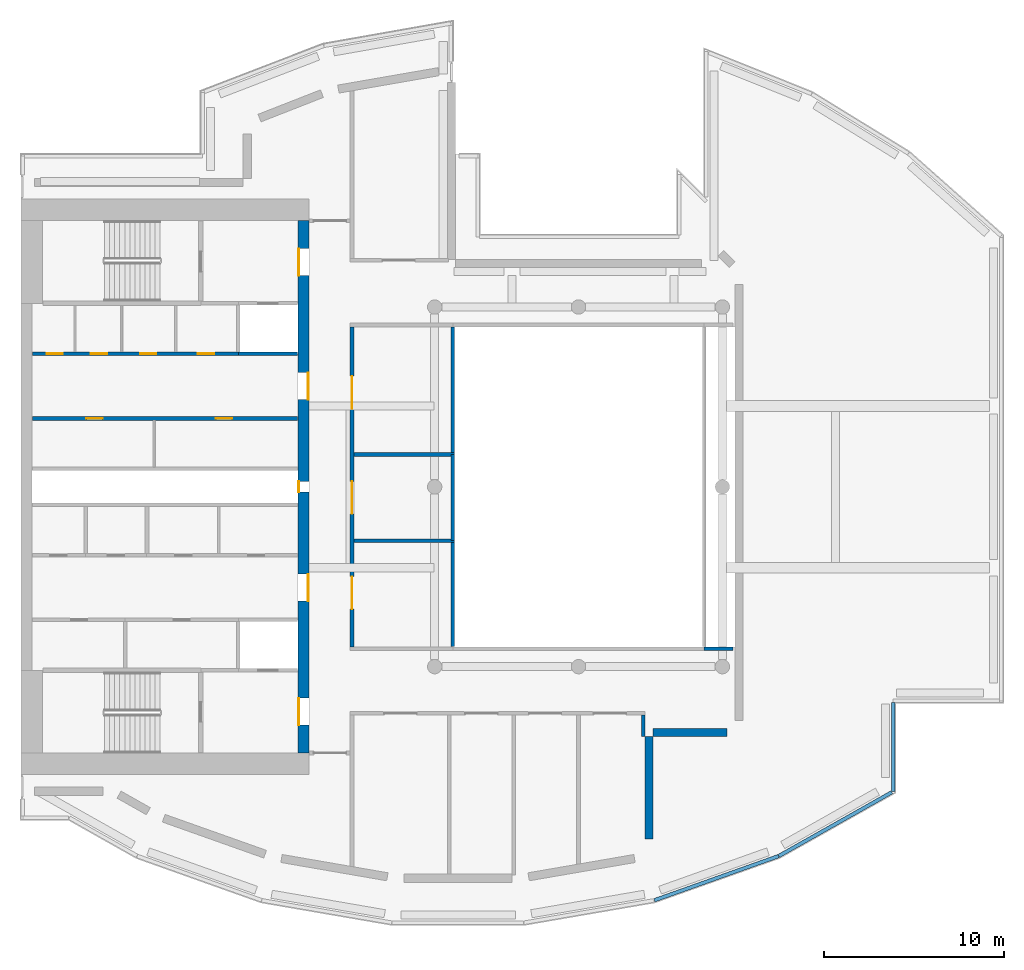
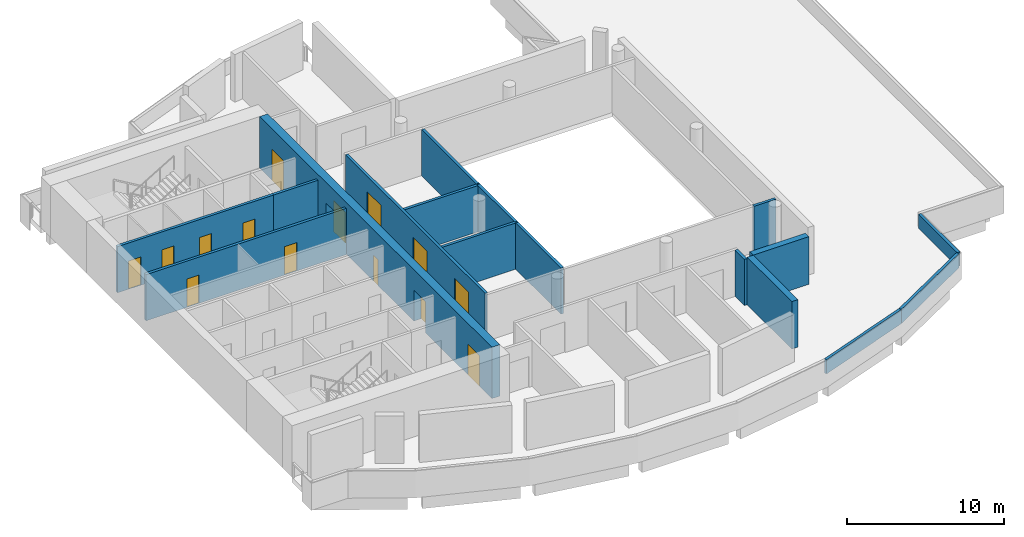
# One storey, part 3 of 8: 17 walls, 14 doors, 14 openings.
"""IFC4 building model written with IfcOpenShell, lengths in metres."""

import ifcopenshell
import ifcopenshell.guid

model = None  # the IFC model being written
_history = None  # IfcOwnerHistory: only IFC2X3 demands one
_inside = {}  # id of a spatial element -> (the spatial element, [elements in it])
_under = {}  # id of a project, library or spatial element -> (it, [spatial elements below it])
_declared = {}  # id of a project -> (the project, [libraries it declares])
_typed = {}  # id of a type object -> (the type object, [elements of that type])
_made_of = {}  # id of a material, layer set ... -> (it, [elements and type objects made of it])


def new_model(schema):
    """Start an empty IFC model of exactly this schema.

    Asked for "IFC4X3", IfcOpenShell would pick the latest addendum, in which some entities
    have other attributes; the version numbers below select the first issue.
    IFC2X3 requires an IfcOwnerHistory on every rooted entity: one is made here for all.
    """
    global model, _history
    if schema == "IFC4X3":
        model = ifcopenshell.file(schema_version=(4, 3, 0, 0))
    else:
        model = ifcopenshell.file(schema=schema)
    _inside.clear()
    _under.clear()
    _declared.clear()
    _typed.clear()
    _made_of.clear()
    _history = None
    if model.schema == "IFC2X3":
        org = make("IfcOrganization", Name="unknown")
        user = make(
            "IfcPersonAndOrganization",
            ThePerson=make("IfcPerson", FamilyName="unknown"),
            TheOrganization=org,
        )
        app = make(
            "IfcApplication",
            ApplicationDeveloper=org,
            Version="unknown",
            ApplicationFullName="unknown",
            ApplicationIdentifier="unknown",
        )
        _history = make(
            "IfcOwnerHistory",
            OwningUser=user,
            OwningApplication=app,
            ChangeAction="ADDED",
            CreationDate=0,
        )
    return model


def make(cls, **values):
    """One entity of the class cls with the attributes given. An attribute that is None is left unset."""
    return model.create_entity(
        cls, **{name: value for name, value in values.items() if value is not None}
    )


def rooted(cls, **values):
    """An entity with a GlobalId (a new one), such as an element, a storey or a relation."""
    return make(cls, GlobalId=ifcopenshell.guid.new(), OwnerHistory=_history, **values)


def si_unit(unit_type, name, prefix=None):
    """IfcSIUnit, for example si_unit("LENGTHUNIT", "METRE", prefix="MILLI")."""
    return make("IfcSIUnit", UnitType=unit_type, Prefix=prefix, Name=name)


def assignment(units):
    """IfcUnitAssignment: the units of a project."""
    return None if units is None else make("IfcUnitAssignment", Units=units)


def point(xyz):
    """IfcCartesianPoint."""
    return None if xyz is None else make("IfcCartesianPoint", Coordinates=xyz)


def direction(xyz):
    """IfcDirection."""
    return None if xyz is None else make("IfcDirection", DirectionRatios=xyz)


def frame(location, z_axis=None, x_axis=None):
    """IfcAxis2Placement3D, a coordinate frame: its origin and axes. An axis left out is left unset."""
    return make(
        "IfcAxis2Placement3D",
        Location=point(location),
        Axis=direction(z_axis),
        RefDirection=direction(x_axis),
    )


def frame_2d(location, x_axis=None):
    """IfcAxis2Placement2D, a coordinate frame in the plane: its origin and x axis."""
    return make(
        "IfcAxis2Placement2D", Location=point(location), RefDirection=direction(x_axis)
    )


def origin():
    """The frame at (0, 0, 0) with its axes left unset."""
    return frame((0.0, 0.0, 0.0))


def place(relative_to, where):
    """IfcLocalPlacement: puts the frame where relative to a parent placement (None: the world)."""
    return make(
        "IfcLocalPlacement", PlacementRelTo=relative_to, RelativePlacement=where
    )


def context(
    kind, dimensions, precision=None, world=None, true_north=None, identifier=None
):
    """IfcGeometricRepresentationContext, for example the 3D "Model" context."""
    return make(
        "IfcGeometricRepresentationContext",
        ContextIdentifier=identifier,
        ContextType=kind,
        CoordinateSpaceDimension=dimensions,
        Precision=precision,
        WorldCoordinateSystem=world,
        TrueNorth=true_north,
    )


def subcontext(parent, identifier, kind, view, scale=None):
    """IfcGeometricRepresentationSubContext, for example "Body" below "Model"."""
    return make(
        "IfcGeometricRepresentationSubContext",
        ContextIdentifier=identifier,
        ContextType=kind,
        ParentContext=parent,
        TargetScale=scale,
        TargetView=view,
    )


def project(units=None, contexts=None):
    """IfcProject with its units and contexts."""
    return rooted(
        "IfcProject",
        Name="project",
        RepresentationContexts=contexts,
        UnitsInContext=assignment(units),
    )


def spatial(cls, under=None, at=None, **own):
    """A site, building, storey or space (cls), placed at a placement, below another one or the project."""
    s = rooted(cls, ObjectPlacement=at, **own)
    if under is not None:
        _under.setdefault(under.id(), (under, []))[1].append(s)
    return s


def profile(cls, at=None, kind="AREA", **sizes):
    """A parametric profile (cls). Its sizes go by their IFC names, for example OverallWidth=200.0."""
    return make(cls, ProfileType=kind, Position=at, **sizes)


def rectangle(**sizes):
    """IfcRectangleProfileDef."""
    return profile("IfcRectangleProfileDef", **sizes)


def extrude(swept, where, along, depth):
    """IfcExtrudedAreaSolid: the profile swept, set in the frame where, extruded along a direction by depth."""
    return make(
        "IfcExtrudedAreaSolid",
        SweptArea=swept,
        Position=where,
        ExtrudedDirection=direction(along),
        Depth=depth,
    )


def shape(context_of_items, identifier, shape_type, items):
    """IfcShapeRepresentation: the items that make up one representation, for example the "Body"."""
    return make(
        "IfcShapeRepresentation",
        ContextOfItems=context_of_items,
        RepresentationIdentifier=identifier,
        RepresentationType=shape_type,
        Items=items,
    )


def material(Name=None, Category=None):
    """IfcMaterial."""
    return make("IfcMaterial", Name=Name, Category=Category)


def layer(
    of_material, thickness, ventilated=None, Name=None, Category=None, Priority=None
):
    """IfcMaterialLayer: one layer of a wall or slab, of a material (None: an air gap)."""
    return make(
        "IfcMaterialLayer",
        Material=of_material,
        LayerThickness=thickness,
        IsVentilated=ventilated,
        Name=Name,
        Category=Category,
        Priority=Priority,
    )


def layer_set(layers, Name=None):
    """IfcMaterialLayerSet."""
    return make("IfcMaterialLayerSet", MaterialLayers=layers, LayerSetName=Name)


def made_of(thing, what):
    """Note that an element or type object is made of a material, layer set ...; save() writes the relation."""
    if what is not None:
        _made_of.setdefault(what.id(), (what, []))[1].append(thing)
    return thing


def type_object(cls, material=None, **own):
    """A type object (cls), such as IfcWallType, which elements share."""
    return made_of(rooted(cls, **own), material)


def element(
    cls,
    number,
    at=None,
    inside=None,
    cuts=None,
    type_object=None,
    material=None,
    context=None,
    identifier="Body",
    shape_type=None,
    held_by="IfcProductDefinitionShape",
    body=None,
    shapes=None,
    **own,
):
    """One element of the class cls, such as IfcWall. Its Tag is "e" and its number.

    at: its placement. inside: the storey or other place that contains it. cuts: it is an
    opening in that element (IfcRelVoidsElement). A single representation is given by context,
    identifier, shape_type and body (its items); several are given by shapes. held_by: the class
    of the entity that holds the representations. save() writes the other relations.
    """
    e = rooted(cls, Tag="e%d" % number, ObjectPlacement=at, **own)
    if body is not None:
        shapes = [shape(context, identifier, shape_type, body)]
    if shapes is not None:
        e.Representation = make(held_by, Representations=shapes)
    if inside is not None:
        _inside.setdefault(inside.id(), (inside, []))[1].append(e)
    if cuts is not None:
        rooted(
            "IfcRelVoidsElement", RelatingBuildingElement=cuts, RelatedOpeningElement=e
        )
    if type_object is not None:
        _typed.setdefault(type_object.id(), (type_object, []))[1].append(e)
    return made_of(e, material)


def fill(opening, filler):
    """IfcRelFillsElement: the door or window that sits in an opening."""
    return rooted(
        "IfcRelFillsElement",
        RelatingOpeningElement=opening,
        RelatedBuildingElement=filler,
    )


def aggregate(whole, parts):
    """IfcRelAggregates: a whole, such as a stair, and the parts it consists of."""
    return rooted("IfcRelAggregates", RelatingObject=whole, RelatedObjects=parts)


def save(model, path):
    """Write the relations noted so far, then the file.

    IfcRelAggregates (storeys below a building ...), IfcRelContainedInSpatialStructure (elements
    in a storey), IfcRelDefinesByType, IfcRelAssociatesMaterial and IfcRelDeclares: one each for
    every whole, place, type object, material and project.
    """
    for whole, parts in _under.values():
        aggregate(whole, parts)
    for where, things in _inside.values():
        rooted(
            "IfcRelContainedInSpatialStructure",
            RelatedElements=things,
            RelatingStructure=where,
        )
    for kind, things in _typed.values():
        rooted("IfcRelDefinesByType", RelatedObjects=things, RelatingType=kind)
    for what, things in _made_of.values():
        rooted("IfcRelAssociatesMaterial", RelatedObjects=things, RelatingMaterial=what)
    for by, libraries in _declared.values():
        rooted("IfcRelDeclares", RelatingContext=by, RelatedDefinitions=libraries)
    model.write(path)


model = new_model("IFC4")

# Units and contexts
model_context = context("Model", 3, precision=1e-05, world=origin(), true_north=direction((0.0, 1.0)))
body_context = subcontext(model_context, "Body", "Model", "MODEL_VIEW")
ifc_project = project(units=[si_unit("LENGTHUNIT", "METRE"), si_unit("AREAUNIT", "SQUARE_METRE"), si_unit("VOLUMEUNIT", "CUBIC_METRE"), si_unit("PLANEANGLEUNIT", "RADIAN"), si_unit("MASSUNIT", "GRAM", prefix="KILO")], contexts=[model_context])

# Site, building, storey
site_placement = place(None, origin())
site = spatial("IfcSite", under=ifc_project, at=site_placement, CompositionType="ELEMENT")
building_placement = place(site_placement, origin())
building = spatial("IfcBuilding", under=site, at=building_placement, Name="Cypress Arch Tower", CompositionType="ELEMENT")
storey_placement = place(building_placement, frame((0.0, 0.0, 343.0)))
storey = spatial("IfcBuildingStorey", under=building, at=storey_placement, Name="L78", CompositionType="ELEMENT", Elevation=343.0)

# Walls
ifc_material_1 = material(Name="Brick (red buff blend)", Category="masonry")
ifc_layer_1 = layer(ifc_material_1, 0.449951171875)
ifc_layer_set_1 = layer_set([ifc_layer_1], Name="Brick belt wall BW450-B")
wall_type_1 = type_object("IfcWallType", Name="Brick belt wall BW450-B", PredefinedType="SOLIDWALL", material=ifc_layer_set_1)
wall_1_placement = place(storey_placement, frame((4.925048828125, -19.590087890625, 0.0), z_axis=(0.0, 0.0, 1.0), x_axis=(0.0, 1.0, 0.0)))
element("IfcWall", 1, at=wall_1_placement, inside=storey, type_object=wall_type_1, Name="Brick wall L78 K08.0", PredefinedType="SOLIDWALL", context=body_context, shape_type="SweptSolid", body=[
    extrude(rectangle(XDim=5.7001953125, YDim=0.449951171875, at=frame_2d((2.85009765625, 0.0))), origin(), (0.0, 0.0, 1.0), 3.699951171875),
])
wall_2_placement = place(storey_placement, frame((5.14990234375, -13.6650390625, 0.0), z_axis=(0.0, 0.0, 1.0), x_axis=(1.0, 0.0, 0.0)))
element("IfcWall", 2, at=wall_2_placement, inside=storey, type_object=wall_type_1, Name="Brick wall L78 K09.0", PredefinedType="SOLIDWALL", context=body_context, shape_type="SweptSolid", body=[
    extrude(rectangle(XDim=4.10009765625, YDim=0.449951171875, at=frame_2d((2.050048828125, 0.0))), origin(), (0.0, 0.0, 1.0), 3.699951171875),
])

# Wall, openings, doors
ifc_material_2 = material(Name="Concrete C50/60", Category="concrete")
ifc_layer_2 = layer(ifc_material_2, 0.60009765625)
ifc_layer_set_2 = layer_set([ifc_layer_2], Name="Core wall CW600 C50/60")
wall_type_2 = type_object("IfcWallType", Name="Core wall CW600 C50/60", PredefinedType="SHEAR", material=ifc_layer_set_2)
wall_3_placement = place(storey_placement, frame((-14.300048828125, -14.800048828125, 0.0), z_axis=(0.0, 0.0, 1.0), x_axis=(0.0, 1.0, 0.0)))
wall_3 = element("IfcWall", 3, at=wall_3_placement, inside=storey, type_object=wall_type_2, Name="Core wall", PredefinedType="SHEAR", context=body_context, shape_type="SweptSolid", body=[
    extrude(rectangle(XDim=29.60009765625, YDim=0.60009765625, at=frame_2d((14.800048828125, 0.0))), origin(), (0.0, 0.0, 1.0), 4.0),
])
opening_1_placement = place(wall_3_placement, frame((1.550048828125, 0.0, 0.0)))
opening_1 = element("IfcOpeningElement", 4, at=opening_1_placement, cuts=wall_3, Name="Opening D07", PredefinedType="OPENING", context=body_context, shape_type="SweptSolid", body=[
    extrude(rectangle(XDim=1.5, YDim=2.39990234375, at=frame_2d((0.75, 1.199951171875))), frame((0.0, 0.31005859375, 0.0), z_axis=(0.0, -1.0, 0.0), x_axis=(1.0, 0.0, 0.0)), (0.0, 0.0, 1.0), 0.6201171875),
])
opening_2_placement = place(wall_3_placement, frame((26.550048828125, 0.0, 0.0)))
opening_2 = element("IfcOpeningElement", 5, at=opening_2_placement, cuts=wall_3, Name="Opening D07", PredefinedType="OPENING", context=body_context, shape_type="SweptSolid", body=[
    extrude(rectangle(XDim=1.5, YDim=2.39990234375, at=frame_2d((0.75, 1.199951171875))), frame((0.0, 0.31005859375, 0.0), z_axis=(0.0, -1.0, 0.0), x_axis=(1.0, 0.0, 0.0)), (0.0, 0.0, 1.0), 0.6201171875),
])
opening_3_placement = place(wall_3_placement, frame((8.449951171875, 0.0, 0.0)))
opening_3 = element("IfcOpeningElement", 6, at=opening_3_placement, cuts=wall_3, Name="Opening D07", PredefinedType="OPENING", context=body_context, shape_type="SweptSolid", body=[
    extrude(rectangle(XDim=1.5, YDim=2.39990234375, at=frame_2d((0.75, 1.199951171875))), frame((0.0, 0.31005859375, 0.0), z_axis=(0.0, -1.0, 0.0), x_axis=(1.0, 0.0, 0.0)), (0.0, 0.0, 1.0), 0.6201171875),
])
opening_4_placement = place(wall_3_placement, frame((19.64990234375, 0.0, 0.0)))
opening_4 = element("IfcOpeningElement", 7, at=opening_4_placement, cuts=wall_3, Name="Opening D07", PredefinedType="OPENING", context=body_context, shape_type="SweptSolid", body=[
    extrude(rectangle(XDim=1.5, YDim=2.39990234375, at=frame_2d((0.75, 1.199951171875))), frame((0.0, 0.31005859375, 0.0), z_axis=(0.0, -1.0, 0.0), x_axis=(1.0, 0.0, 0.0)), (0.0, 0.0, 1.0), 0.6201171875),
])
opening_5_placement = place(wall_3_placement, frame((14.5, 0.0, 0.0)))
opening_5 = element("IfcOpeningElement", 8, at=opening_5_placement, cuts=wall_3, Name="Opening D08", PredefinedType="OPENING", context=body_context, shape_type="SweptSolid", body=[
    extrude(rectangle(XDim=0.60009765625, YDim=2.0, at=frame_2d((0.300048828125, 1.0))), frame((0.0, 0.31005859375, 0.0), z_axis=(0.0, -1.0, 0.0), x_axis=(1.0, 0.0, 0.0)), (0.0, 0.0, 1.0), 0.6201171875),
])
ifc_material_3 = material(Name="Steel framed glazed door, fire resisting", Category="steel")
door_type_1 = type_object("IfcDoorType", Name="Lobby door D07 1500x2400", OperationType="DOUBLE_DOOR_SINGLE_SWING", PredefinedType="DOOR", material=ifc_material_3)
door_1_placement = place(opening_1_placement, origin())
door_1 = element("IfcDoor", 9, at=door_1_placement, inside=storey, type_object=door_type_1, Name="Lobby door", OperationType="DOUBLE_DOOR_SINGLE_SWING", OverallHeight=2.39990234375, OverallWidth=1.5, PredefinedType="DOOR", context=body_context, shape_type="SweptSolid", body=[
    extrude(rectangle(XDim=1.5, YDim=2.39990234375, at=frame_2d((0.75, 1.199951171875))), frame((0.0, 0.294921875, 0.0), z_axis=(0.0, -1.0, 0.0), x_axis=(1.0, 0.0, 0.0)), (0.0, 0.0, 1.0), 0.050048828125),
])
fill(opening_1, door_1)
door_2_placement = place(opening_2_placement, origin())
door_2 = element("IfcDoor", 10, at=door_2_placement, inside=storey, type_object=door_type_1, Name="Lobby door", OperationType="DOUBLE_DOOR_SINGLE_SWING", OverallHeight=2.39990234375, OverallWidth=1.5, PredefinedType="DOOR", context=body_context, shape_type="SweptSolid", body=[
    extrude(rectangle(XDim=1.5, YDim=2.39990234375, at=frame_2d((0.75, 1.199951171875))), frame((0.0, 0.294921875, 0.0), z_axis=(0.0, -1.0, 0.0), x_axis=(1.0, 0.0, 0.0)), (0.0, 0.0, 1.0), 0.050048828125),
])
fill(opening_2, door_2)
door_3_placement = place(opening_3_placement, origin())
door_3 = element("IfcDoor", 11, at=door_3_placement, inside=storey, type_object=door_type_1, Name="Lobby door", OperationType="DOUBLE_DOOR_SINGLE_SWING", OverallHeight=2.39990234375, OverallWidth=1.5, PredefinedType="DOOR", context=body_context, shape_type="SweptSolid", body=[
    extrude(rectangle(XDim=1.5, YDim=2.39990234375, at=frame_2d((0.75, 1.199951171875))), frame((0.0, -0.2451171875, 0.0), z_axis=(0.0, -1.0, 0.0), x_axis=(1.0, 0.0, 0.0)), (0.0, 0.0, 1.0), 0.050048828125),
])
fill(opening_3, door_3)
door_4_placement = place(opening_4_placement, origin())
door_4 = element("IfcDoor", 12, at=door_4_placement, inside=storey, type_object=door_type_1, Name="Lobby door", OperationType="DOUBLE_DOOR_SINGLE_SWING", OverallHeight=2.39990234375, OverallWidth=1.5, PredefinedType="DOOR", context=body_context, shape_type="SweptSolid", body=[
    extrude(rectangle(XDim=1.5, YDim=2.39990234375, at=frame_2d((0.75, 1.199951171875))), frame((0.0, -0.2451171875, 0.0), z_axis=(0.0, -1.0, 0.0), x_axis=(1.0, 0.0, 0.0)), (0.0, 0.0, 1.0), 0.050048828125),
])
fill(opening_4, door_4)
ifc_material_4 = material(Name="Steel access door, fire resisting", Category="steel")
door_type_2 = type_object("IfcDoorType", Name="Riser access door D08 600x2000", OperationType="SINGLE_SWING_LEFT", PredefinedType="DOOR", material=ifc_material_4)
door_5_placement = place(opening_5_placement, origin())
door_5 = element("IfcDoor", 13, at=door_5_placement, inside=storey, type_object=door_type_2, Name="Riser access door", OperationType="SINGLE_SWING_RIGHT", OverallHeight=2.0, OverallWidth=0.60009765625, PredefinedType="DOOR", context=body_context, shape_type="SweptSolid", body=[
    extrude(rectangle(XDim=0.60009765625, YDim=2.0, at=frame_2d((0.300048828125, 1.0))), frame((0.0, 0.294921875, 0.0), z_axis=(0.0, -1.0, 0.0), x_axis=(1.0, 0.0, 0.0)), (0.0, 0.0, 1.0), 0.050048828125),
])
fill(opening_5, door_5)

ifc_material_5 = material(Name="Concrete blockwork, plastered, rated", Category="masonry")
ifc_layer_3 = layer(ifc_material_5, 0.199951171875)
ifc_layer_set_3 = layer_set([ifc_layer_3], Name="Corridor wall FW200")
wall_type_3 = type_object("IfcWallType", Name="Corridor wall FW200", PredefinedType="PARTITIONING", material=ifc_layer_set_3)
wall_4_placement = place(storey_placement, frame((-29.3701171875, 3.800048828125, 0.0), z_axis=(0.0, 0.0, 1.0), x_axis=(1.0, 0.0, 0.0)))
wall_4 = element("IfcWall", 14, at=wall_4_placement, inside=storey, type_object=wall_type_3, Name="Corridor wall", PredefinedType="PARTITIONING", context=body_context, shape_type="SweptSolid", body=[
    extrude(rectangle(XDim=14.740234375, YDim=0.199951171875, at=frame_2d((7.3701171875, 0.0))), origin(), (0.0, 0.0, 1.0), 3.597900390625),
])
opening_6_placement = place(wall_4_placement, frame((3.0, 0.0, 0.0)))
opening_6 = element("IfcOpeningElement", 15, at=opening_6_placement, cuts=wall_4, Name="Opening D05", PredefinedType="OPENING", context=body_context, shape_type="SweptSolid", body=[
    extrude(rectangle(XDim=0.89990234375, YDim=2.199951171875, at=frame_2d((0.449951171875, 1.10009765625))), frame((0.0, 0.10986328125, 0.0), z_axis=(0.0, -1.0, 0.0), x_axis=(1.0, 0.0, 0.0)), (0.0, 0.0, 1.0), 0.219970703125),
])
opening_7_placement = place(wall_4_placement, frame((10.199951171875, 0.0, 0.0)))
opening_7 = element("IfcOpeningElement", 16, at=opening_7_placement, cuts=wall_4, Name="Opening D05", PredefinedType="OPENING", context=body_context, shape_type="SweptSolid", body=[
    extrude(rectangle(XDim=0.89990234375, YDim=2.199951171875, at=frame_2d((0.449951171875, 1.10009765625))), frame((0.0, 0.10986328125, 0.0), z_axis=(0.0, -1.0, 0.0), x_axis=(1.0, 0.0, 0.0)), (0.0, 0.0, 1.0), 0.219970703125),
])
ifc_material_6 = material(Name="Timber flush door", Category="wood")
door_type_3 = type_object("IfcDoorType", Name="Service door D05 900x2200", OperationType="SINGLE_SWING_LEFT", PredefinedType="DOOR", material=ifc_material_6)
door_6_placement = place(opening_6_placement, origin())
door_6 = element("IfcDoor", 17, at=door_6_placement, inside=storey, type_object=door_type_3, Name="Service door", OperationType="SINGLE_SWING_LEFT", OverallHeight=2.199951171875, OverallWidth=0.89990234375, PredefinedType="DOOR", context=body_context, shape_type="SweptSolid", body=[
    extrude(rectangle(XDim=0.89990234375, YDim=2.199951171875, at=frame_2d((0.449951171875, 1.10009765625))), frame((0.0, 0.02490234375, 0.0), z_axis=(0.0, -1.0, 0.0), x_axis=(1.0, 0.0, 0.0)), (0.0, 0.0, 1.0), 0.050048828125),
])
fill(opening_6, door_6)
door_7_placement = place(opening_7_placement, origin())
door_7 = element("IfcDoor", 18, at=door_7_placement, inside=storey, type_object=door_type_3, Name="Service door", OperationType="SINGLE_SWING_LEFT", OverallHeight=2.199951171875, OverallWidth=0.89990234375, PredefinedType="DOOR", context=body_context, shape_type="SweptSolid", body=[
    extrude(rectangle(XDim=0.89990234375, YDim=2.199951171875, at=frame_2d((0.449951171875, 1.10009765625))), frame((0.0, 0.02490234375, 0.0), z_axis=(0.0, -1.0, 0.0), x_axis=(1.0, 0.0, 0.0)), (0.0, 0.0, 1.0), 0.050048828125),
])
fill(opening_7, door_7)

wall_5_placement = place(storey_placement, frame((-29.3701171875, 7.39990234375, 0.0), z_axis=(0.0, 0.0, 1.0), x_axis=(1.0, 0.0, 0.0)))
wall_5 = element("IfcWall", 19, at=wall_5_placement, inside=storey, type_object=wall_type_3, Name="Corridor wall", PredefinedType="PARTITIONING", context=body_context, shape_type="SweptSolid", body=[
    extrude(rectangle(XDim=11.47021484375, YDim=0.199951171875, at=frame_2d((5.735107421875, 0.0))), origin(), (0.0, 0.0, 1.0), 3.597900390625),
])
opening_8_placement = place(wall_5_placement, frame((0.800048828125, 0.0, 0.0)))
opening_8 = element("IfcOpeningElement", 20, at=opening_8_placement, cuts=wall_5, Name="Opening D05", PredefinedType="OPENING", context=body_context, shape_type="SweptSolid", body=[
    extrude(rectangle(XDim=0.89990234375, YDim=2.199951171875, at=frame_2d((0.449951171875, 1.10009765625))), frame((0.0, 0.10986328125, 0.0), z_axis=(0.0, -1.0, 0.0), x_axis=(1.0, 0.0, 0.0)), (0.0, 0.0, 1.0), 0.219970703125),
])
opening_9_placement = place(wall_5_placement, frame((3.25, 0.0, 0.0)))
opening_9 = element("IfcOpeningElement", 21, at=opening_9_placement, cuts=wall_5, Name="Opening D05", PredefinedType="OPENING", context=body_context, shape_type="SweptSolid", body=[
    extrude(rectangle(XDim=0.89990234375, YDim=2.199951171875, at=frame_2d((0.449951171875, 1.10009765625))), frame((0.0, 0.10986328125, 0.0), z_axis=(0.0, -1.0, 0.0), x_axis=(1.0, 0.0, 0.0)), (0.0, 0.0, 1.0), 0.219970703125),
])
opening_10_placement = place(wall_5_placement, frame((6.0, 0.0, 0.0)))
opening_10 = element("IfcOpeningElement", 22, at=opening_10_placement, cuts=wall_5, Name="Opening D05", PredefinedType="OPENING", context=body_context, shape_type="SweptSolid", body=[
    extrude(rectangle(XDim=0.89990234375, YDim=2.199951171875, at=frame_2d((0.449951171875, 1.10009765625))), frame((0.0, 0.10986328125, 0.0), z_axis=(0.0, -1.0, 0.0), x_axis=(1.0, 0.0, 0.0)), (0.0, 0.0, 1.0), 0.219970703125),
])
opening_11_placement = place(wall_5_placement, frame((9.199951171875, 0.0, 0.0)))
opening_11 = element("IfcOpeningElement", 23, at=opening_11_placement, cuts=wall_5, Name="Opening D05", PredefinedType="OPENING", context=body_context, shape_type="SweptSolid", body=[
    extrude(rectangle(XDim=0.89990234375, YDim=2.199951171875, at=frame_2d((0.449951171875, 1.10009765625))), frame((0.0, 0.10986328125, 0.0), z_axis=(0.0, -1.0, 0.0), x_axis=(1.0, 0.0, 0.0)), (0.0, 0.0, 1.0), 0.219970703125),
])
door_8_placement = place(opening_8_placement, origin())
door_8 = element("IfcDoor", 24, at=door_8_placement, inside=storey, type_object=door_type_3, Name="Service door", OperationType="SINGLE_SWING_RIGHT", OverallHeight=2.199951171875, OverallWidth=0.89990234375, PredefinedType="DOOR", context=body_context, shape_type="SweptSolid", body=[
    extrude(rectangle(XDim=0.89990234375, YDim=2.199951171875, at=frame_2d((0.449951171875, 1.10009765625))), frame((0.0, 0.02490234375, 0.0), z_axis=(0.0, -1.0, 0.0), x_axis=(1.0, 0.0, 0.0)), (0.0, 0.0, 1.0), 0.050048828125),
])
fill(opening_8, door_8)
door_9_placement = place(opening_9_placement, origin())
door_9 = element("IfcDoor", 25, at=door_9_placement, inside=storey, type_object=door_type_3, Name="Service door", OperationType="SINGLE_SWING_RIGHT", OverallHeight=2.199951171875, OverallWidth=0.89990234375, PredefinedType="DOOR", context=body_context, shape_type="SweptSolid", body=[
    extrude(rectangle(XDim=0.89990234375, YDim=2.199951171875, at=frame_2d((0.449951171875, 1.10009765625))), frame((0.0, 0.02490234375, 0.0), z_axis=(0.0, -1.0, 0.0), x_axis=(1.0, 0.0, 0.0)), (0.0, 0.0, 1.0), 0.050048828125),
])
fill(opening_9, door_9)
door_10_placement = place(opening_10_placement, origin())
door_10 = element("IfcDoor", 26, at=door_10_placement, inside=storey, type_object=door_type_3, Name="Service door", OperationType="SINGLE_SWING_LEFT", OverallHeight=2.199951171875, OverallWidth=0.89990234375, PredefinedType="DOOR", context=body_context, shape_type="SweptSolid", body=[
    extrude(rectangle(XDim=0.89990234375, YDim=2.199951171875, at=frame_2d((0.449951171875, 1.10009765625))), frame((0.0, 0.02490234375, 0.0), z_axis=(0.0, -1.0, 0.0), x_axis=(1.0, 0.0, 0.0)), (0.0, 0.0, 1.0), 0.050048828125),
])
fill(opening_10, door_10)
door_11_placement = place(opening_11_placement, origin())
door_11 = element("IfcDoor", 27, at=door_11_placement, inside=storey, type_object=door_type_3, Name="Service door", OperationType="SINGLE_SWING_LEFT", OverallHeight=2.199951171875, OverallWidth=0.89990234375, PredefinedType="DOOR", context=body_context, shape_type="SweptSolid", body=[
    extrude(rectangle(XDim=0.89990234375, YDim=2.199951171875, at=frame_2d((0.449951171875, 1.10009765625))), frame((0.0, 0.02490234375, 0.0), z_axis=(0.0, -1.0, 0.0), x_axis=(1.0, 0.0, 0.0)), (0.0, 0.0, 1.0), 0.050048828125),
])
fill(opening_11, door_11)

ifc_material_7 = material(Name="Reinforced blockwork, plastered, rated", Category="masonry")
ifc_layer_4 = layer(ifc_material_7, 0.199951171875)
ifc_layer_set_4 = layer_set([ifc_layer_4], Name="Plant and riser wall PL200")
wall_type_4 = type_object("IfcWallType", Name="Plant and riser wall PL200", PredefinedType="PARTITIONING", material=ifc_layer_set_4)
wall_6_placement = place(storey_placement, frame((-11.60009765625, -8.89892578125, 0.0), z_axis=(0.0, 0.0, 1.0), x_axis=(0.0, 1.0, 0.0)))
wall_6 = element("IfcWall", 28, at=wall_6_placement, inside=storey, type_object=wall_type_4, Name="Plant and riser wall", PredefinedType="PARTITIONING", context=body_context, shape_type="SweptSolid", body=[
    extrude(rectangle(XDim=17.7978515625, YDim=0.199951171875, at=frame_2d((8.89892578125, 0.0))), origin(), (0.0, 0.0, 1.0), 3.597900390625),
])
opening_12_placement = place(wall_6_placement, frame((2.10009765625, 0.0, 0.0)))
opening_12 = element("IfcOpeningElement", 29, at=opening_12_placement, cuts=wall_6, Name="Opening D09", PredefinedType="OPENING", context=body_context, shape_type="SweptSolid", body=[
    extrude(rectangle(XDim=1.800048828125, YDim=2.39990234375, at=frame_2d((0.89990234375, 1.199951171875))), frame((0.0, 0.10986328125, 0.0), z_axis=(0.0, -1.0, 0.0), x_axis=(1.0, 0.0, 0.0)), (0.0, 0.0, 1.0), 0.219970703125),
])
opening_13_placement = place(wall_6_placement, frame((7.39990234375, 0.0, 0.0)))
opening_13 = element("IfcOpeningElement", 30, at=opening_13_placement, cuts=wall_6, Name="Opening D09", PredefinedType="OPENING", context=body_context, shape_type="SweptSolid", body=[
    extrude(rectangle(XDim=1.800048828125, YDim=2.39990234375, at=frame_2d((0.89990234375, 1.199951171875))), frame((0.0, 0.10986328125, 0.0), z_axis=(0.0, -1.0, 0.0), x_axis=(1.0, 0.0, 0.0)), (0.0, 0.0, 1.0), 0.219970703125),
])
opening_14_placement = place(wall_6_placement, frame((13.25, 0.0, 0.0)))
opening_14 = element("IfcOpeningElement", 31, at=opening_14_placement, cuts=wall_6, Name="Opening D09", PredefinedType="OPENING", context=body_context, shape_type="SweptSolid", body=[
    extrude(rectangle(XDim=1.800048828125, YDim=2.39990234375, at=frame_2d((0.89990234375, 1.199951171875))), frame((0.0, 0.10986328125, 0.0), z_axis=(0.0, -1.0, 0.0), x_axis=(1.0, 0.0, 0.0)), (0.0, 0.0, 1.0), 0.219970703125),
])
ifc_material_8 = material(Name="Steel door, fire resisting", Category="steel")
door_type_4 = type_object("IfcDoorType", Name="Plant room door D09 1800x2400", OperationType="DOUBLE_DOOR_SINGLE_SWING", PredefinedType="DOOR", material=ifc_material_8)
door_12_placement = place(opening_12_placement, origin())
door_12 = element("IfcDoor", 32, at=door_12_placement, inside=storey, type_object=door_type_4, Name="Plant room door", OperationType="DOUBLE_DOOR_SINGLE_SWING", OverallHeight=2.39990234375, OverallWidth=1.800048828125, PredefinedType="DOOR", context=body_context, shape_type="SweptSolid", body=[
    extrude(rectangle(XDim=1.800048828125, YDim=2.39990234375, at=frame_2d((0.89990234375, 1.199951171875))), frame((0.0, 0.02490234375, 0.0), z_axis=(0.0, -1.0, 0.0), x_axis=(1.0, 0.0, 0.0)), (0.0, 0.0, 1.0), 0.050048828125),
])
fill(opening_12, door_12)
door_13_placement = place(opening_13_placement, origin())
door_13 = element("IfcDoor", 33, at=door_13_placement, inside=storey, type_object=door_type_4, Name="Plant room door", OperationType="DOUBLE_DOOR_SINGLE_SWING", OverallHeight=2.39990234375, OverallWidth=1.800048828125, PredefinedType="DOOR", context=body_context, shape_type="SweptSolid", body=[
    extrude(rectangle(XDim=1.800048828125, YDim=2.39990234375, at=frame_2d((0.89990234375, 1.199951171875))), frame((0.0, 0.02490234375, 0.0), z_axis=(0.0, -1.0, 0.0), x_axis=(1.0, 0.0, 0.0)), (0.0, 0.0, 1.0), 0.050048828125),
])
fill(opening_13, door_13)
door_14_placement = place(opening_14_placement, origin())
door_14 = element("IfcDoor", 34, at=door_14_placement, inside=storey, type_object=door_type_4, Name="Plant room door", OperationType="DOUBLE_DOOR_SINGLE_SWING", OverallHeight=2.39990234375, OverallWidth=1.800048828125, PredefinedType="DOOR", context=body_context, shape_type="SweptSolid", body=[
    extrude(rectangle(XDim=1.800048828125, YDim=2.39990234375, at=frame_2d((0.89990234375, 1.199951171875))), frame((0.0, 0.02490234375, 0.0), z_axis=(0.0, -1.0, 0.0), x_axis=(1.0, 0.0, 0.0)), (0.0, 0.0, 1.0), 0.050048828125),
])
fill(opening_14, door_14)

# Walls
for number, where, z_axis, x_axis, name in (
    (35, (-11.5, -3.0, 0.0), (0.0, 0.0, 1.0), (1.0, 0.0, 0.0), "Plant and riser wall"),
    (36, (-11.5, 1.800048828125, 0.0), (0.0, 0.0, 1.0), (1.0, 0.0, 0.0), "Plant and riser wall"),
):
    element("IfcWall", number, at=place(storey_placement, frame(where, z_axis=z_axis, x_axis=x_axis)), inside=storey, type_object=wall_type_4, Name=name, PredefinedType="PARTITIONING", context=body_context, shape_type="SweptSolid", body=[
        extrude(rectangle(XDim=5.60009765625, YDim=0.199951171875, at=frame_2d((2.800048828125, 0.0))), origin(), (0.0, 0.0, 1.0), 3.597900390625),
    ])
wall_7_placement = place(storey_placement, frame((-6.0, -8.8798828125, 0.0), z_axis=(0.0, 0.0, 1.0), x_axis=(0.0, 1.0, 0.0)))
element("IfcWall", 37, at=wall_7_placement, inside=storey, type_object=wall_type_4, Name="Plant and riser wall", PredefinedType="PARTITIONING", context=body_context, shape_type="SweptSolid", body=[
    extrude(rectangle(XDim=5.77978515625, YDim=0.199951171875, at=frame_2d((2.889892578125, 0.0))), origin(), (0.0, 0.0, 1.0), 3.597900390625),
])
wall_8_placement = place(storey_placement, frame((-6.0, -2.97998046875, 0.0), z_axis=(0.0, 0.0, 1.0), x_axis=(0.0, 1.0, 0.0)))
element("IfcWall", 38, at=wall_8_placement, inside=storey, type_object=wall_type_4, Name="Plant and riser wall", PredefinedType="PARTITIONING", context=body_context, shape_type="SweptSolid", body=[
    extrude(rectangle(XDim=4.780029296875, YDim=0.199951171875, at=frame_2d((2.39013671875, 0.0))), origin(), (0.0, 0.0, 1.0), 3.597900390625),
])
wall_9_placement = place(storey_placement, frame((-6.0, 1.820068359375, 0.0), z_axis=(0.0, 0.0, 1.0), x_axis=(0.0, 1.0, 0.0)))
element("IfcWall", 39, at=wall_9_placement, inside=storey, type_object=wall_type_4, Name="Plant and riser wall", PredefinedType="PARTITIONING", context=body_context, shape_type="SweptSolid", body=[
    extrude(rectangle(XDim=7.059814453125, YDim=0.199951171875, at=frame_2d((3.52978515625, 0.0))), origin(), (0.0, 0.0, 1.0), 3.597900390625),
])
wall_10_placement = place(storey_placement, frame((4.60009765625, -13.889892578125, 0.0), z_axis=(0.0, 0.0, 1.0), x_axis=(0.0, 1.0, 0.0)))
element("IfcWall", 40, at=wall_10_placement, inside=storey, type_object=wall_type_4, Name="Plant and riser wall", PredefinedType="PARTITIONING", context=body_context, shape_type="SweptSolid", body=[
    extrude(rectangle(XDim=1.18896484375, YDim=0.199951171875, at=frame_2d((0.594482421875, 0.0))), origin(), (0.0, 0.0, 1.0), 3.597900390625),
])
wall_11_placement = place(storey_placement, frame((7.97998046875, -9.0, 0.0), z_axis=(0.0, 0.0, 1.0), x_axis=(1.0, 0.0, 0.0)))
element("IfcWall", 41, at=wall_11_placement, inside=storey, type_object=wall_type_4, Name="Plant and riser wall", PredefinedType="PARTITIONING", context=body_context, shape_type="SweptSolid", body=[
    extrude(rectangle(XDim=1.619873046875, YDim=0.199951171875, at=frame_2d((0.81005859375, 0.0))), origin(), (0.0, 0.0, 1.0), 3.597900390625),
])
ifc_material_9 = material(Name="Concrete C40/50", Category="concrete")
ifc_layer_5 = layer(ifc_material_9, 0.199951171875)
ifc_layer_set_5 = layer_set([ifc_layer_5], Name="Roof parapet 200 Concrete C40/50")
wall_type_5 = type_object("IfcWallType", Name="Roof parapet 200 Concrete C40/50", PredefinedType="SOLIDWALL", material=ifc_layer_set_5)
wall_12_placement = place(storey_placement, frame((18.5, -12.0, 0.0), z_axis=(0.0, 0.0, 1.0), x_axis=(0.0, -1.0, 0.0)))
element("IfcWall", 42, at=wall_12_placement, inside=storey, type_object=wall_type_5, Name="Roof parapet L78 9", PredefinedType="SOLIDWALL", context=body_context, shape_type="SweptSolid", body=[
    extrude(rectangle(XDim=4.941650390625, YDim=0.199951171875, at=frame_2d((2.470703125, 0.0))), origin(), (0.0, 0.0, 1.0), 1.10009765625),
])
wall_13_placement = place(storey_placement, frame((18.421630859375, -16.98583984375, 0.0), z_axis=(0.0, 0.0, 1.0), x_axis=(-0.871076124564, -0.491148027803, 0.0)))
element("IfcWall", 43, at=wall_13_placement, inside=storey, type_object=wall_type_5, Name="Roof parapet L78 10", PredefinedType="SOLIDWALL", context=body_context, shape_type="SweptSolid", body=[
    extrude(rectangle(XDim=7.213134765625, YDim=0.199951171875, at=frame_2d((3.6064453125, 0.0))), origin(), (0.0, 0.0, 1.0), 1.10009765625),
])
wall_14_placement = place(storey_placement, frame((12.11962890625, -20.535400390625, 0.0), z_axis=(0.0, 0.0, 1.0), x_axis=(-0.942111370857, -0.335300111694, 0.0)))
element("IfcWall", 44, at=wall_14_placement, inside=storey, type_object=wall_type_5, Name="Roof parapet L78 11", PredefinedType="SOLIDWALL", context=body_context, shape_type="SweptSolid", body=[
    extrude(rectangle(XDim=7.329345703125, YDim=0.199951171875, at=frame_2d((3.66455078125, 0.0))), origin(), (0.0, 0.0, 1.0), 1.10009765625),
])
ifc_material_10 = material(Name="Concrete C50/60", Category="concrete")
ifc_layer_6 = layer(ifc_material_10, 0.199951171875)
ifc_layer_set_6 = layer_set([ifc_layer_6], Name="Shaft wall SH200")
wall_type_6 = type_object("IfcWallType", Name="Shaft wall SH200", PredefinedType="SHEAR", material=ifc_layer_set_6)
wall_15_placement = place(storey_placement, frame((-17.89990234375, 7.39990234375, 0.0), z_axis=(0.0, 0.0, 1.0), x_axis=(1.0, 0.0, 0.0)))
element("IfcWall", 45, at=wall_15_placement, inside=storey, type_object=wall_type_6, Name="Shaft wall", PredefinedType="SHEAR", context=body_context, shape_type="SweptSolid", body=[
    extrude(rectangle(XDim=3.27001953125, YDim=0.199951171875, at=frame_2d((1.635009765625, 0.0))), origin(), (0.0, 0.0, 1.0), 3.597900390625),
])

save(model, "model.ifc")
